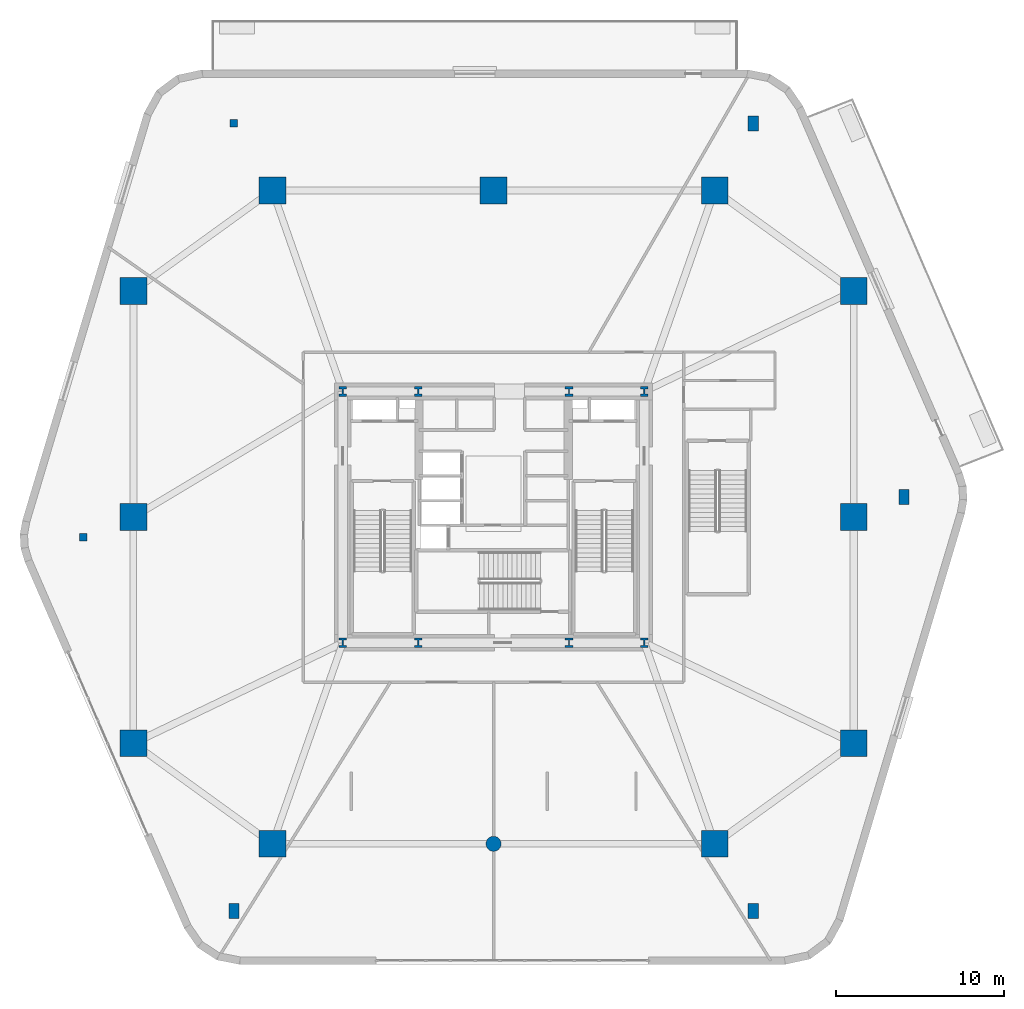
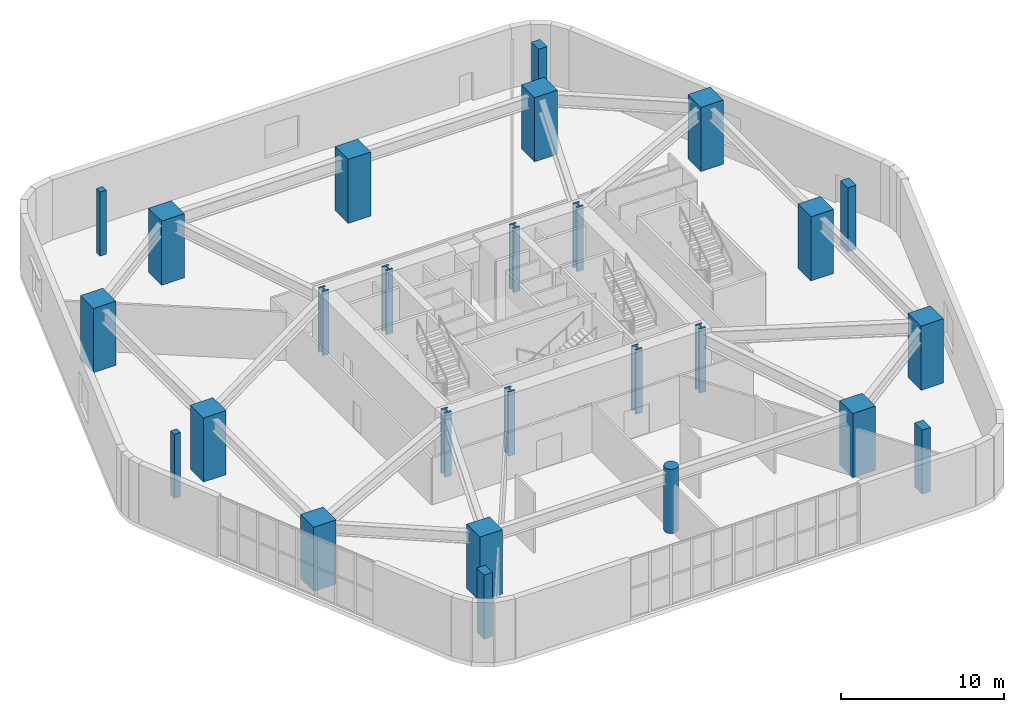
# One storey, part 1 of 17: 26 columns.
"""IFC4 building model written with IfcOpenShell, lengths in metres."""

from ifc_helpers import new_model, si_unit, direction, frame, origin, origin_2d, place, context, subcontext, project, spatial, rectangle, circle, i_section, extrude, material, material_profile, profile_set, type_object, element, save


model = new_model("IFC4")

# Units and contexts
model_context = context("Model", 3, precision=1e-05, world=origin(), true_north=direction((0.0, 1.0)))
body_context = subcontext(model_context, "Body", "Model", "MODEL_VIEW")
ifc_project = project(units=[si_unit("LENGTHUNIT", "METRE"), si_unit("AREAUNIT", "SQUARE_METRE"), si_unit("VOLUMEUNIT", "CUBIC_METRE"), si_unit("PLANEANGLEUNIT", "RADIAN"), si_unit("MASSUNIT", "GRAM", prefix="KILO")], contexts=[model_context])

# Site, building, storey
site_placement = place(None, origin())
site = spatial("IfcSite", under=ifc_project, at=site_placement, CompositionType="ELEMENT")
building_placement = place(site_placement, origin())
building = spatial("IfcBuilding", under=site, at=building_placement, Name="Kilnhurst Terrace Hotel", CompositionType="ELEMENT")
storey_placement = place(building_placement, frame((0.0, 0.0, 18.60009765625)))
storey = spatial("IfcBuildingStorey", under=building, at=storey_placement, Name="L03", CompositionType="ELEMENT", Elevation=18.60009765625)

# Columns
ifc_material_1 = material(Name="Concrete C60/75", Category="concrete")
ifc_material_profile_1 = material_profile(ifc_material_1, circle(Radius=0.449951171875, at=origin_2d()), Name="RCCOL900")
ifc_profile_set_1 = profile_set([ifc_material_profile_1], Name="Concrete C60/75")
column_type_1 = type_object("IfcColumnType", Name="COL-CIR-900", PredefinedType="COLUMN", material=ifc_profile_set_1)
column_placement = place(storey_placement, frame((0.0, -19.5, 0.0), z_axis=(0.0, 0.0, 1.0), x_axis=(1.0, 0.0, 0.0)))
element("IfcColumn", 1, at=column_placement, inside=storey, type_object=column_type_1, Name="L03 Structural Column TC-BALL0", PredefinedType="COLUMN", context=body_context, shape_type="SweptSolid", body=[
    extrude(circle(Radius=0.449951171875, at=origin_2d()), origin(), (0.0, 0.0, 1.0), 4.7998046875),
])
ifc_material_2 = material(Name="Concrete C80/95", Category="concrete")
ifc_material_profile_2 = material_profile(ifc_material_2, rectangle(XDim=1.60009765625, YDim=1.60009765625, at=origin_2d()), Name="RC1600X1600")
ifc_profile_set_2 = profile_set([ifc_material_profile_2], Name="Concrete C80/95")
column_type_2 = type_object("IfcColumnType", Name="COL-RC-1600", PredefinedType="COLUMN", material=ifc_profile_set_2)
for number, where, z_axis, x_axis, name in (
    (2, (-21.5, -13.5, 0.0), (0.0, 0.0, 1.0), (1.0, 0.0, 0.0), "L03 Structural Column MC-W1"),
    (3, (-21.5, 0.0, 0.0), (0.0, 0.0, 1.0), (1.0, 0.0, 0.0), "L03 Structural Column MC-W2"),
    (4, (-21.5, 13.5, 0.0), (0.0, 0.0, 1.0), (1.0, 0.0, 0.0), "L03 Structural Column MC-W3"),
    (5, (21.5, -13.5, 0.0), (0.0, 0.0, 1.0), (1.0, 0.0, 0.0), "L03 Structural Column MC-E1"),
    (6, (21.5, 0.0, 0.0), (0.0, 0.0, 1.0), (1.0, 0.0, 0.0), "L03 Structural Column MC-E2"),
    (7, (21.5, 13.5, 0.0), (0.0, 0.0, 1.0), (1.0, 0.0, 0.0), "L03 Structural Column MC-E3"),
    (8, (-13.199951171875, -19.5, 0.0), (0.0, 0.0, 1.0), (1.0, 0.0, 0.0), "L03 Structural Column MC-S1"),
    (9, (13.199951171875, -19.5, 0.0), (0.0, 0.0, 1.0), (1.0, 0.0, 0.0), "L03 Structural Column MC-S2"),
    (10, (-13.199951171875, 19.5, 0.0), (0.0, 0.0, 1.0), (1.0, 0.0, 0.0), "L03 Structural Column MC-N1"),
    (11, (0.0, 19.5, 0.0), (0.0, 0.0, 1.0), (1.0, 0.0, 0.0), "L03 Structural Column MC-N2"),
    (12, (13.199951171875, 19.5, 0.0), (0.0, 0.0, 1.0), (1.0, 0.0, 0.0), "L03 Structural Column MC-N3"),
):
    element("IfcColumn", number, at=place(storey_placement, frame(where, z_axis=z_axis, x_axis=x_axis)), inside=storey, type_object=column_type_2, Name=name, PredefinedType="COLUMN", context=body_context, shape_type="SweptSolid", body=[
        extrude(rectangle(XDim=1.60009765625, YDim=1.60009765625, at=origin_2d()), origin(), (0.0, 0.0, 1.0), 4.7998046875),
    ])
ifc_material_3 = material(Name="Steel ASTM A992 Grade 50", Category="steel")
ifc_material_profile_3 = material_profile(ifc_material_3, i_section(OverallWidth=0.454345703125, OverallDepth=0.569091796875, WebThickness=0.077880859375, FlangeThickness=0.124755859375, at=origin_2d()), Name="W14X730")
ifc_profile_set_3 = profile_set([ifc_material_profile_3], Name="Steel ASTM A992 Grade 50")
column_type_3 = type_object("IfcColumnType", Name="COL-STL-W14X730", PredefinedType="COLUMN", material=ifc_profile_set_3)
for number, where, z_axis, x_axis, name in (
    (13, (-9.0, -7.5, 0.0), (0.0, 0.0, 1.0), (1.0, 0.0, 0.0), "L03 Structural Column CC-SW"),
    (14, (-4.5, -7.5, 0.0), (0.0, 0.0, 1.0), (1.0, 0.0, 0.0), "L03 Structural Column CC-SC1"),
    (15, (4.5, -7.5, 0.0), (0.0, 0.0, 1.0), (1.0, 0.0, 0.0), "L03 Structural Column CC-SC2"),
    (16, (9.0, -7.5, 0.0), (0.0, 0.0, 1.0), (1.0, 0.0, 0.0), "L03 Structural Column CC-SE"),
    (17, (9.0, 7.5, 0.0), (0.0, 0.0, 1.0), (1.0, 0.0, 0.0), "L03 Structural Column CC-NE"),
    (18, (4.5, 7.5, 0.0), (0.0, 0.0, 1.0), (1.0, 0.0, 0.0), "L03 Structural Column CC-NC2"),
    (19, (-4.5, 7.5, 0.0), (0.0, 0.0, 1.0), (1.0, 0.0, 0.0), "L03 Structural Column CC-NC1"),
    (20, (-9.0, 7.5, 0.0), (0.0, 0.0, 1.0), (1.0, 0.0, 0.0), "L03 Structural Column CC-NW"),
):
    element("IfcColumn", number, at=place(storey_placement, frame(where, z_axis=z_axis, x_axis=x_axis)), inside=storey, type_object=column_type_3, Name=name, PredefinedType="COLUMN", context=body_context, shape_type="SweptSolid", body=[
        extrude(i_section(OverallWidth=0.454345703125, OverallDepth=0.569091796875, WebThickness=0.077880859375, FlangeThickness=0.124755859375, at=origin_2d()), origin(), (0.0, 0.0, 1.0), 4.7998046875),
    ])
ifc_material_4 = material(Name="Concrete C50/60", Category="concrete")
ifc_material_profile_4 = material_profile(ifc_material_4, rectangle(XDim=0.449951171875, YDim=0.449951171875, at=origin_2d()), Name="RC450X450")
ifc_profile_set_4 = profile_set([ifc_material_profile_4], Name="Concrete C50/60")
column_type_4 = type_object("IfcColumnType", Name="PIL-RC-450X450", PredefinedType="PILASTER", material=ifc_profile_set_4)
for number, where, z_axis, x_axis, name in (
    (21, (-15.5, 23.5, 0.0), (0.0, 0.0, 1.0), (1.0, 0.0, 0.0), "L03 Continuous Structural Pilaster PIL5"),
    (22, (-24.5, -1.199951171875, 0.0), (0.0, 0.0, 1.0), (1.0, 0.0, 0.0), "L03 Continuous Structural Pilaster PIL6"),
):
    element("IfcColumn", number, at=place(storey_placement, frame(where, z_axis=z_axis, x_axis=x_axis)), inside=storey, type_object=column_type_4, Name=name, PredefinedType="PILASTER", context=body_context, shape_type="SweptSolid", body=[
        extrude(rectangle(XDim=0.449951171875, YDim=0.449951171875, at=origin_2d()), origin(), (0.0, 0.0, 1.0), 4.7998046875),
    ])
ifc_material_profile_5 = material_profile(ifc_material_1, rectangle(XDim=0.60009765625, YDim=0.89990234375, at=origin_2d()), Name="RC600X900")
ifc_profile_set_5 = profile_set([ifc_material_profile_5], Name="Concrete C60/75")
column_type_5 = type_object("IfcColumnType", Name="PIL-RC-600X900", PredefinedType="PILASTER", material=ifc_profile_set_5)
for number, where, z_axis, x_axis, name in (
    (23, (-15.5, -23.5, 0.0), (0.0, 0.0, 1.0), (1.0, 0.0, 0.0), "L03 Continuous Structural Pilaster PIL1"),
    (24, (15.5, -23.5, 0.0), (0.0, 0.0, 1.0), (1.0, 0.0, 0.0), "L03 Continuous Structural Pilaster PIL2"),
    (25, (24.5, 1.199951171875, 0.0), (0.0, 0.0, 1.0), (1.0, 0.0, 0.0), "L03 Continuous Structural Pilaster PIL3"),
    (26, (15.5, 23.5, 0.0), (0.0, 0.0, 1.0), (1.0, 0.0, 0.0), "L03 Continuous Structural Pilaster PIL4"),
):
    element("IfcColumn", number, at=place(storey_placement, frame(where, z_axis=z_axis, x_axis=x_axis)), inside=storey, type_object=column_type_5, Name=name, PredefinedType="PILASTER", context=body_context, shape_type="SweptSolid", body=[
        extrude(rectangle(XDim=0.60009765625, YDim=0.89990234375, at=origin_2d()), origin(), (0.0, 0.0, 1.0), 4.7998046875),
    ])

save(model, "model.ifc")
